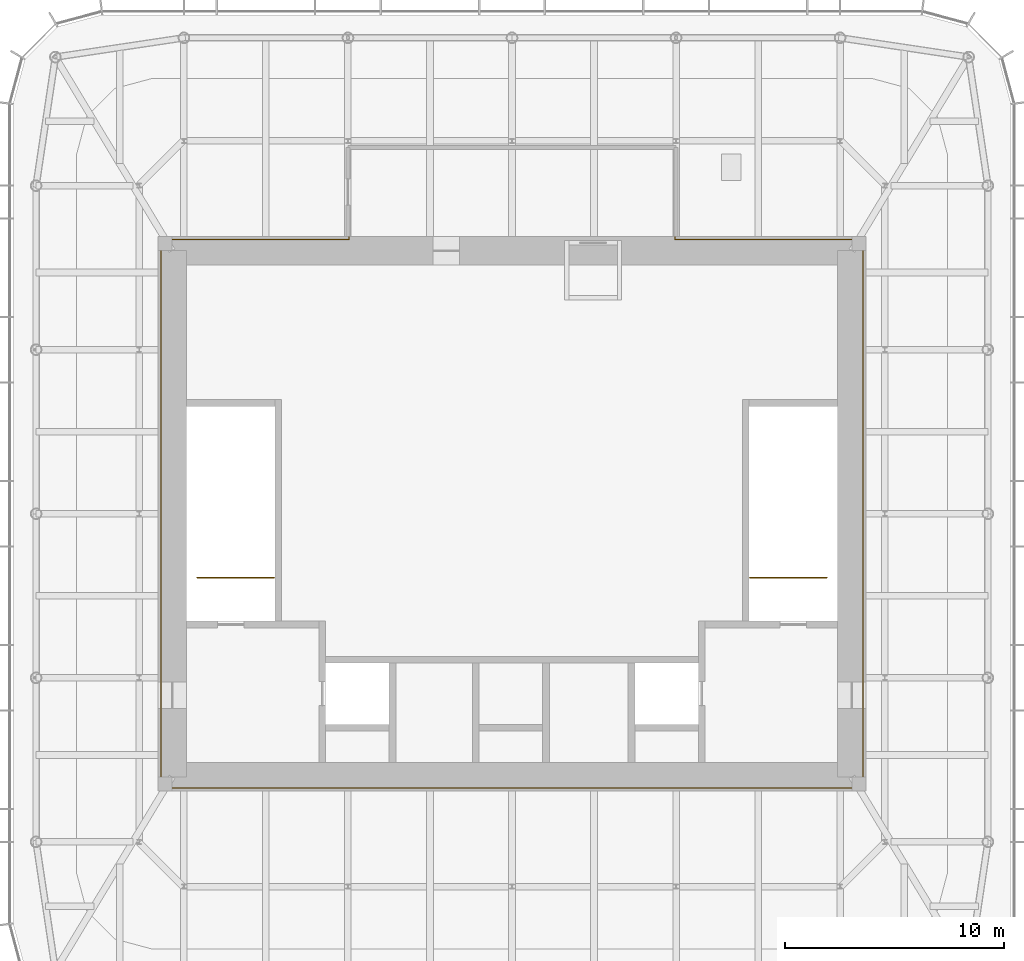
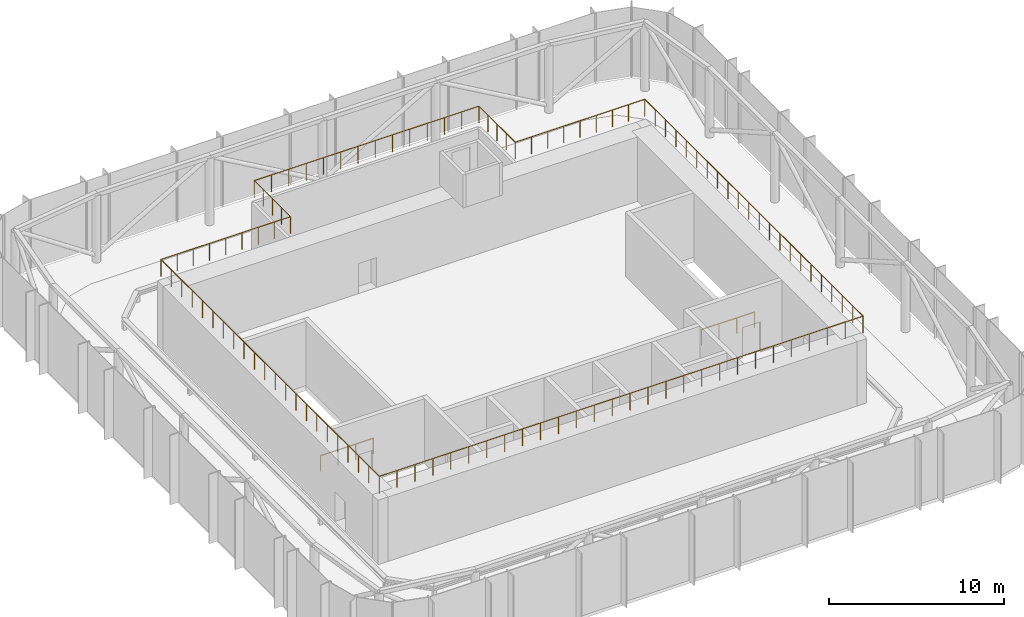
# One storey, part 12 of 12: 3 railings.
"""IFC4 building model written with IfcOpenShell, lengths in metres."""

from ifc_helpers import new_model, si_unit, direction, frame, origin, origin_2d, place, context, subcontext, project, spatial, circle, extrude, material, type_object, element, save


model = new_model("IFC4")

# Units and contexts
model_context = context("Model", 3, precision=1e-05, world=origin(), true_north=direction((0.0, 1.0)))
body_context = subcontext(model_context, "Body", "Model", "MODEL_VIEW")
ifc_project = project(units=[si_unit("LENGTHUNIT", "METRE"), si_unit("AREAUNIT", "SQUARE_METRE"), si_unit("VOLUMEUNIT", "CUBIC_METRE"), si_unit("PLANEANGLEUNIT", "RADIAN"), si_unit("MASSUNIT", "GRAM", prefix="KILO")], contexts=[model_context])

# Site, building, storey
site_placement = place(None, origin())
site = spatial("IfcSite", under=ifc_project, at=site_placement, CompositionType="ELEMENT")
building_placement = place(site_placement, origin())
building = spatial("IfcBuilding", under=site, at=building_placement, Name="Khuree Lantern Residences", CompositionType="ELEMENT")
storey_placement = place(building_placement, frame((0.0, 0.0, 363.25)))
storey = spatial("IfcBuildingStorey", under=building, at=storey_placement, Name="RF", CompositionType="ELEMENT", Elevation=363.25)

# Railings
ifc_material_1 = material(Name="Bronze anodised aluminium balustrade with infill bars", Category="aluminium")
railing_type_1 = type_object("IfcRailingType", Name="GALLERY GUARD G2 1200", PredefinedType="GUARDRAIL", material=ifc_material_1)
railing_placement = place(storey_placement, frame((-16.0, -12.5, 4.85009765625)))
element("IfcRailing", 1, at=railing_placement, inside=storey, type_object=railing_type_1, Name="CORE ROOF GUARD", PredefinedType="GUARDRAIL", context=body_context, shape_type="SweptSolid", body=[
    extrude(circle(Radius=0.02392578125, at=origin_2d()), frame((0.0, 0.0, 1.17578125), z_axis=(0.0, 1.0, 0.0), x_axis=(-1.0, 0.0, 0.0)), (0.0, 0.0, 1.0), 25.0),
    extrude(circle(Radius=0.02392578125, at=origin_2d()), frame((0.0, 25.0, 1.17578125), z_axis=(1.0, 0.0, 0.0), x_axis=(0.0, 1.0, 0.0)), (0.0, 0.0, 1.0), 8.570068359375),
    extrude(circle(Radius=0.02392578125, at=origin_2d()), frame((8.570068359375, 25.0, 1.17578125), z_axis=(0.0, 1.0, 0.0), x_axis=(-1.0, 0.0, 0.0)), (0.0, 0.0, 1.0), 4.14990234375),
    extrude(circle(Radius=0.02392578125, at=origin_2d()), frame((8.570068359375, 29.14990234375, 1.17578125), z_axis=(1.0, 0.0, 0.0), x_axis=(0.0, 1.0, 0.0)), (0.0, 0.0, 1.0), 14.85986328125),
    extrude(circle(Radius=0.02392578125, at=origin_2d()), frame((23.429931640625, 29.14990234375, 1.17578125), z_axis=(0.0, -1.0, 0.0), x_axis=(1.0, 0.0, 0.0)), (0.0, 0.0, 1.0), 4.14990234375),
    extrude(circle(Radius=0.02392578125, at=origin_2d()), frame((23.429931640625, 25.0, 1.17578125), z_axis=(1.0, 0.0, 0.0), x_axis=(0.0, 1.0, 0.0)), (0.0, 0.0, 1.0), 8.570068359375),
    extrude(circle(Radius=0.02392578125, at=origin_2d()), frame((32.0, 25.0, 1.17578125), z_axis=(0.0, -1.0, 0.0), x_axis=(1.0, 0.0, 0.0)), (0.0, 0.0, 1.0), 25.0),
    extrude(circle(Radius=0.02392578125, at=origin_2d()), frame((32.0, 0.0, 1.17578125), z_axis=(-1.0, 0.0, 0.0), x_axis=(0.0, -1.0, 0.0)), (0.0, 0.0, 1.0), 32.0),
    extrude(circle(Radius=0.02099609375, at=origin_2d()), origin(), (0.0, 0.0, 1.0), 1.15185546875),
    extrude(circle(Radius=0.02099609375, at=origin_2d()), frame((0.0, 1.1904296875, 0.0)), (0.0, 0.0, 1.0), 1.15185546875),
    extrude(circle(Radius=0.02099609375, at=origin_2d()), frame((0.0, 2.380859375, 0.0)), (0.0, 0.0, 1.0), 1.15185546875),
    extrude(circle(Radius=0.02099609375, at=origin_2d()), frame((0.0, 3.571533203125, 0.0)), (0.0, 0.0, 1.0), 1.15185546875),
    extrude(circle(Radius=0.02099609375, at=origin_2d()), frame((0.0, 4.761962890625, 0.0)), (0.0, 0.0, 1.0), 1.15185546875),
    extrude(circle(Radius=0.02099609375, at=origin_2d()), frame((0.0, 5.952392578125, 0.0)), (0.0, 0.0, 1.0), 1.15185546875),
    extrude(circle(Radius=0.02099609375, at=origin_2d()), frame((0.0, 7.142822265625, 0.0)), (0.0, 0.0, 1.0), 1.15185546875),
    extrude(circle(Radius=0.02099609375, at=origin_2d()), frame((0.0, 8.333251953125, 0.0)), (0.0, 0.0, 1.0), 1.15185546875),
    extrude(circle(Radius=0.02099609375, at=origin_2d()), frame((0.0, 9.52392578125, 0.0)), (0.0, 0.0, 1.0), 1.15185546875),
    extrude(circle(Radius=0.02099609375, at=origin_2d()), frame((0.0, 10.71435546875, 0.0)), (0.0, 0.0, 1.0), 1.15185546875),
    extrude(circle(Radius=0.02099609375, at=origin_2d()), frame((0.0, 11.90478515625, 0.0)), (0.0, 0.0, 1.0), 1.15185546875),
    extrude(circle(Radius=0.02099609375, at=origin_2d()), frame((0.0, 13.09521484375, 0.0)), (0.0, 0.0, 1.0), 1.15185546875),
    extrude(circle(Radius=0.02099609375, at=origin_2d()), frame((0.0, 14.28564453125, 0.0)), (0.0, 0.0, 1.0), 1.15185546875),
    extrude(circle(Radius=0.02099609375, at=origin_2d()), frame((0.0, 15.47607421875, 0.0)), (0.0, 0.0, 1.0), 1.15185546875),
    extrude(circle(Radius=0.02099609375, at=origin_2d()), frame((0.0, 16.666748046875, 0.0)), (0.0, 0.0, 1.0), 1.15185546875),
    extrude(circle(Radius=0.02099609375, at=origin_2d()), frame((0.0, 17.857177734375, 0.0)), (0.0, 0.0, 1.0), 1.15185546875),
    extrude(circle(Radius=0.02099609375, at=origin_2d()), frame((0.0, 19.047607421875, 0.0)), (0.0, 0.0, 1.0), 1.15185546875),
    extrude(circle(Radius=0.02099609375, at=origin_2d()), frame((0.0, 20.238037109375, 0.0)), (0.0, 0.0, 1.0), 1.15185546875),
    extrude(circle(Radius=0.02099609375, at=origin_2d()), frame((0.0, 21.428466796875, 0.0)), (0.0, 0.0, 1.0), 1.15185546875),
    extrude(circle(Radius=0.02099609375, at=origin_2d()), frame((0.0, 22.619140625, 0.0)), (0.0, 0.0, 1.0), 1.15185546875),
    extrude(circle(Radius=0.02099609375, at=origin_2d()), frame((0.0, 23.8095703125, 0.0)), (0.0, 0.0, 1.0), 1.15185546875),
    extrude(circle(Radius=0.02099609375, at=origin_2d()), frame((0.0, 25.0, 0.0)), (0.0, 0.0, 1.0), 1.15185546875),
    extrude(circle(Radius=0.02099609375, at=origin_2d()), frame((1.0712890625, 25.0, 0.0)), (0.0, 0.0, 1.0), 1.15185546875),
    extrude(circle(Radius=0.02099609375, at=origin_2d()), frame((2.142578125, 25.0, 0.0)), (0.0, 0.0, 1.0), 1.15185546875),
    extrude(circle(Radius=0.02099609375, at=origin_2d()), frame((3.2138671875, 25.0, 0.0)), (0.0, 0.0, 1.0), 1.15185546875),
    extrude(circle(Radius=0.02099609375, at=origin_2d()), frame((4.28515625, 25.0, 0.0)), (0.0, 0.0, 1.0), 1.15185546875),
    extrude(circle(Radius=0.02099609375, at=origin_2d()), frame((5.356201171875, 25.0, 0.0)), (0.0, 0.0, 1.0), 1.15185546875),
    extrude(circle(Radius=0.02099609375, at=origin_2d()), frame((6.427490234375, 25.0, 0.0)), (0.0, 0.0, 1.0), 1.15185546875),
    extrude(circle(Radius=0.02099609375, at=origin_2d()), frame((7.498779296875, 25.0, 0.0)), (0.0, 0.0, 1.0), 1.15185546875),
    extrude(circle(Radius=0.02099609375, at=origin_2d()), frame((8.570068359375, 25.0, 0.0)), (0.0, 0.0, 1.0), 1.15185546875),
    extrude(circle(Radius=0.02099609375, at=origin_2d()), frame((8.570068359375, 26.03759765625, 0.0)), (0.0, 0.0, 1.0), 1.15185546875),
    extrude(circle(Radius=0.02099609375, at=origin_2d()), frame((8.570068359375, 27.074951171875, 0.0)), (0.0, 0.0, 1.0), 1.15185546875),
    extrude(circle(Radius=0.02099609375, at=origin_2d()), frame((8.570068359375, 28.1123046875, 0.0)), (0.0, 0.0, 1.0), 1.15185546875),
    extrude(circle(Radius=0.02099609375, at=origin_2d()), frame((8.570068359375, 29.14990234375, 0.0)), (0.0, 0.0, 1.0), 1.15185546875),
    extrude(circle(Radius=0.02099609375, at=origin_2d()), frame((9.713134765625, 29.14990234375, 0.0)), (0.0, 0.0, 1.0), 1.15185546875),
    extrude(circle(Radius=0.02099609375, at=origin_2d()), frame((10.856201171875, 29.14990234375, 0.0)), (0.0, 0.0, 1.0), 1.15185546875),
    extrude(circle(Radius=0.02099609375, at=origin_2d()), frame((11.999267578125, 29.14990234375, 0.0)), (0.0, 0.0, 1.0), 1.15185546875),
    extrude(circle(Radius=0.02099609375, at=origin_2d()), frame((13.142333984375, 29.14990234375, 0.0)), (0.0, 0.0, 1.0), 1.15185546875),
    extrude(circle(Radius=0.02099609375, at=origin_2d()), frame((14.285400390625, 29.14990234375, 0.0)), (0.0, 0.0, 1.0), 1.15185546875),
    extrude(circle(Radius=0.02099609375, at=origin_2d()), frame((15.428466796875, 29.14990234375, 0.0)), (0.0, 0.0, 1.0), 1.15185546875),
    extrude(circle(Radius=0.02099609375, at=origin_2d()), frame((16.571533203125, 29.14990234375, 0.0)), (0.0, 0.0, 1.0), 1.15185546875),
    extrude(circle(Radius=0.02099609375, at=origin_2d()), frame((17.714599609375, 29.14990234375, 0.0)), (0.0, 0.0, 1.0), 1.15185546875),
    extrude(circle(Radius=0.02099609375, at=origin_2d()), frame((18.857666015625, 29.14990234375, 0.0)), (0.0, 0.0, 1.0), 1.15185546875),
    extrude(circle(Radius=0.02099609375, at=origin_2d()), frame((20.000732421875, 29.14990234375, 0.0)), (0.0, 0.0, 1.0), 1.15185546875),
    extrude(circle(Radius=0.02099609375, at=origin_2d()), frame((21.143798828125, 29.14990234375, 0.0)), (0.0, 0.0, 1.0), 1.15185546875),
    extrude(circle(Radius=0.02099609375, at=origin_2d()), frame((22.286865234375, 29.14990234375, 0.0)), (0.0, 0.0, 1.0), 1.15185546875),
    extrude(circle(Radius=0.02099609375, at=origin_2d()), frame((23.429931640625, 29.14990234375, 0.0)), (0.0, 0.0, 1.0), 1.15185546875),
    extrude(circle(Radius=0.02099609375, at=origin_2d()), frame((23.429931640625, 28.1123046875, 0.0)), (0.0, 0.0, 1.0), 1.15185546875),
    extrude(circle(Radius=0.02099609375, at=origin_2d()), frame((23.429931640625, 27.074951171875, 0.0)), (0.0, 0.0, 1.0), 1.15185546875),
    extrude(circle(Radius=0.02099609375, at=origin_2d()), frame((23.429931640625, 26.03759765625, 0.0)), (0.0, 0.0, 1.0), 1.15185546875),
    extrude(circle(Radius=0.02099609375, at=origin_2d()), frame((23.429931640625, 25.0, 0.0)), (0.0, 0.0, 1.0), 1.15185546875),
    extrude(circle(Radius=0.02099609375, at=origin_2d()), frame((24.501220703125, 25.0, 0.0)), (0.0, 0.0, 1.0), 1.15185546875),
    extrude(circle(Radius=0.02099609375, at=origin_2d()), frame((25.572509765625, 25.0, 0.0)), (0.0, 0.0, 1.0), 1.15185546875),
    extrude(circle(Radius=0.02099609375, at=origin_2d()), frame((26.643798828125, 25.0, 0.0)), (0.0, 0.0, 1.0), 1.15185546875),
    extrude(circle(Radius=0.02099609375, at=origin_2d()), frame((27.71484375, 25.0, 0.0)), (0.0, 0.0, 1.0), 1.15185546875),
    extrude(circle(Radius=0.02099609375, at=origin_2d()), frame((28.7861328125, 25.0, 0.0)), (0.0, 0.0, 1.0), 1.15185546875),
    extrude(circle(Radius=0.02099609375, at=origin_2d()), frame((29.857421875, 25.0, 0.0)), (0.0, 0.0, 1.0), 1.15185546875),
    extrude(circle(Radius=0.02099609375, at=origin_2d()), frame((30.9287109375, 25.0, 0.0)), (0.0, 0.0, 1.0), 1.15185546875),
    extrude(circle(Radius=0.02099609375, at=origin_2d()), frame((32.0, 25.0, 0.0)), (0.0, 0.0, 1.0), 1.15185546875),
    extrude(circle(Radius=0.02099609375, at=origin_2d()), frame((32.0, 23.8095703125, 0.0)), (0.0, 0.0, 1.0), 1.15185546875),
    extrude(circle(Radius=0.02099609375, at=origin_2d()), frame((32.0, 22.619140625, 0.0)), (0.0, 0.0, 1.0), 1.15185546875),
    extrude(circle(Radius=0.02099609375, at=origin_2d()), frame((32.0, 21.428466796875, 0.0)), (0.0, 0.0, 1.0), 1.15185546875),
    extrude(circle(Radius=0.02099609375, at=origin_2d()), frame((32.0, 20.238037109375, 0.0)), (0.0, 0.0, 1.0), 1.15185546875),
    extrude(circle(Radius=0.02099609375, at=origin_2d()), frame((32.0, 19.047607421875, 0.0)), (0.0, 0.0, 1.0), 1.15185546875),
    extrude(circle(Radius=0.02099609375, at=origin_2d()), frame((32.0, 17.857177734375, 0.0)), (0.0, 0.0, 1.0), 1.15185546875),
    extrude(circle(Radius=0.02099609375, at=origin_2d()), frame((32.0, 16.666748046875, 0.0)), (0.0, 0.0, 1.0), 1.15185546875),
    extrude(circle(Radius=0.02099609375, at=origin_2d()), frame((32.0, 15.47607421875, 0.0)), (0.0, 0.0, 1.0), 1.15185546875),
    extrude(circle(Radius=0.02099609375, at=origin_2d()), frame((32.0, 14.28564453125, 0.0)), (0.0, 0.0, 1.0), 1.15185546875),
    extrude(circle(Radius=0.02099609375, at=origin_2d()), frame((32.0, 13.09521484375, 0.0)), (0.0, 0.0, 1.0), 1.15185546875),
    extrude(circle(Radius=0.02099609375, at=origin_2d()), frame((32.0, 11.90478515625, 0.0)), (0.0, 0.0, 1.0), 1.15185546875),
    extrude(circle(Radius=0.02099609375, at=origin_2d()), frame((32.0, 10.71435546875, 0.0)), (0.0, 0.0, 1.0), 1.15185546875),
    extrude(circle(Radius=0.02099609375, at=origin_2d()), frame((32.0, 9.52392578125, 0.0)), (0.0, 0.0, 1.0), 1.15185546875),
    extrude(circle(Radius=0.02099609375, at=origin_2d()), frame((32.0, 8.333251953125, 0.0)), (0.0, 0.0, 1.0), 1.15185546875),
    extrude(circle(Radius=0.02099609375, at=origin_2d()), frame((32.0, 7.142822265625, 0.0)), (0.0, 0.0, 1.0), 1.15185546875),
    extrude(circle(Radius=0.02099609375, at=origin_2d()), frame((32.0, 5.952392578125, 0.0)), (0.0, 0.0, 1.0), 1.15185546875),
    extrude(circle(Radius=0.02099609375, at=origin_2d()), frame((32.0, 4.761962890625, 0.0)), (0.0, 0.0, 1.0), 1.15185546875),
    extrude(circle(Radius=0.02099609375, at=origin_2d()), frame((32.0, 3.571533203125, 0.0)), (0.0, 0.0, 1.0), 1.15185546875),
    extrude(circle(Radius=0.02099609375, at=origin_2d()), frame((32.0, 2.380859375, 0.0)), (0.0, 0.0, 1.0), 1.15185546875),
    extrude(circle(Radius=0.02099609375, at=origin_2d()), frame((32.0, 1.1904296875, 0.0)), (0.0, 0.0, 1.0), 1.15185546875),
    extrude(circle(Radius=0.02099609375, at=origin_2d()), frame((32.0, 0.0, 0.0)), (0.0, 0.0, 1.0), 1.15185546875),
    extrude(circle(Radius=0.02099609375, at=origin_2d()), frame((30.814697265625, 0.0, 0.0)), (0.0, 0.0, 1.0), 1.15185546875),
    extrude(circle(Radius=0.02099609375, at=origin_2d()), frame((29.629638671875, 0.0, 0.0)), (0.0, 0.0, 1.0), 1.15185546875),
    extrude(circle(Radius=0.02099609375, at=origin_2d()), frame((28.4443359375, 0.0, 0.0)), (0.0, 0.0, 1.0), 1.15185546875),
    extrude(circle(Radius=0.02099609375, at=origin_2d()), frame((27.25927734375, 0.0, 0.0)), (0.0, 0.0, 1.0), 1.15185546875),
    extrude(circle(Radius=0.02099609375, at=origin_2d()), frame((26.073974609375, 0.0, 0.0)), (0.0, 0.0, 1.0), 1.15185546875),
    extrude(circle(Radius=0.02099609375, at=origin_2d()), frame((24.888916015625, 0.0, 0.0)), (0.0, 0.0, 1.0), 1.15185546875),
    extrude(circle(Radius=0.02099609375, at=origin_2d()), frame((23.70361328125, 0.0, 0.0)), (0.0, 0.0, 1.0), 1.15185546875),
    extrude(circle(Radius=0.02099609375, at=origin_2d()), frame((22.5185546875, 0.0, 0.0)), (0.0, 0.0, 1.0), 1.15185546875),
    extrude(circle(Radius=0.02099609375, at=origin_2d()), frame((21.333251953125, 0.0, 0.0)), (0.0, 0.0, 1.0), 1.15185546875),
    extrude(circle(Radius=0.02099609375, at=origin_2d()), frame((20.148193359375, 0.0, 0.0)), (0.0, 0.0, 1.0), 1.15185546875),
    extrude(circle(Radius=0.02099609375, at=origin_2d()), frame((18.962890625, 0.0, 0.0)), (0.0, 0.0, 1.0), 1.15185546875),
    extrude(circle(Radius=0.02099609375, at=origin_2d()), frame((17.77783203125, 0.0, 0.0)), (0.0, 0.0, 1.0), 1.15185546875),
    extrude(circle(Radius=0.02099609375, at=origin_2d()), frame((16.592529296875, 0.0, 0.0)), (0.0, 0.0, 1.0), 1.15185546875),
    extrude(circle(Radius=0.02099609375, at=origin_2d()), frame((15.407470703125, 0.0, 0.0)), (0.0, 0.0, 1.0), 1.15185546875),
    extrude(circle(Radius=0.02099609375, at=origin_2d()), frame((14.22216796875, 0.0, 0.0)), (0.0, 0.0, 1.0), 1.15185546875),
    extrude(circle(Radius=0.02099609375, at=origin_2d()), frame((13.037109375, 0.0, 0.0)), (0.0, 0.0, 1.0), 1.15185546875),
    extrude(circle(Radius=0.02099609375, at=origin_2d()), frame((11.851806640625, 0.0, 0.0)), (0.0, 0.0, 1.0), 1.15185546875),
    extrude(circle(Radius=0.02099609375, at=origin_2d()), frame((10.666748046875, 0.0, 0.0)), (0.0, 0.0, 1.0), 1.15185546875),
    extrude(circle(Radius=0.02099609375, at=origin_2d()), frame((9.4814453125, 0.0, 0.0)), (0.0, 0.0, 1.0), 1.15185546875),
    extrude(circle(Radius=0.02099609375, at=origin_2d()), frame((8.29638671875, 0.0, 0.0)), (0.0, 0.0, 1.0), 1.15185546875),
    extrude(circle(Radius=0.02099609375, at=origin_2d()), frame((7.111083984375, 0.0, 0.0)), (0.0, 0.0, 1.0), 1.15185546875),
    extrude(circle(Radius=0.02099609375, at=origin_2d()), frame((5.926025390625, 0.0, 0.0)), (0.0, 0.0, 1.0), 1.15185546875),
    extrude(circle(Radius=0.02099609375, at=origin_2d()), frame((4.74072265625, 0.0, 0.0)), (0.0, 0.0, 1.0), 1.15185546875),
    extrude(circle(Radius=0.02099609375, at=origin_2d()), frame((3.5556640625, 0.0, 0.0)), (0.0, 0.0, 1.0), 1.15185546875),
    extrude(circle(Radius=0.02099609375, at=origin_2d()), frame((2.370361328125, 0.0, 0.0)), (0.0, 0.0, 1.0), 1.15185546875),
    extrude(circle(Radius=0.02099609375, at=origin_2d()), frame((1.185302734375, 0.0, 0.0)), (0.0, 0.0, 1.0), 1.15185546875),
])
ifc_material_2 = material(Name="Steel S355", Category="steel")
railing_type_2 = type_object("IfcRailingType", Name="STAIR GUARD G1 1100", PredefinedType="GUARDRAIL", material=ifc_material_2)
for number, where, name in (
    (2, (-14.35009765625, -2.909912109375, 0.0), "Stair ST1 top guard"),
    (3, (10.85009765625, -2.909912109375, 0.0), "Stair ST2 top guard"),
):
    element("IfcRailing", number, at=place(storey_placement, frame(where)), inside=storey, type_object=railing_type_2, Name=name, PredefinedType="GUARDRAIL", context=body_context, shape_type="SweptSolid", body=[
        extrude(circle(Radius=0.02392578125, at=origin_2d()), frame((0.0, 0.0, 1.076171875), z_axis=(1.0, 0.0, 0.0), x_axis=(0.0, 1.0, 0.0)), (0.0, 0.0, 1.0), 3.5),
        extrude(circle(Radius=0.02099609375, at=origin_2d()), origin(), (0.0, 0.0, 1.0), 1.052001953125),
        extrude(circle(Radius=0.02099609375, at=origin_2d()), frame((1.166748046875, 0.0, 0.0)), (0.0, 0.0, 1.0), 1.052001953125),
        extrude(circle(Radius=0.02099609375, at=origin_2d()), frame((2.333251953125, 0.0, 0.0)), (0.0, 0.0, 1.0), 1.052001953125),
        extrude(circle(Radius=0.02099609375, at=origin_2d()), frame((3.5, 0.0, 0.0)), (0.0, 0.0, 1.0), 1.052001953125),
    ])

save(model, "model.ifc")
